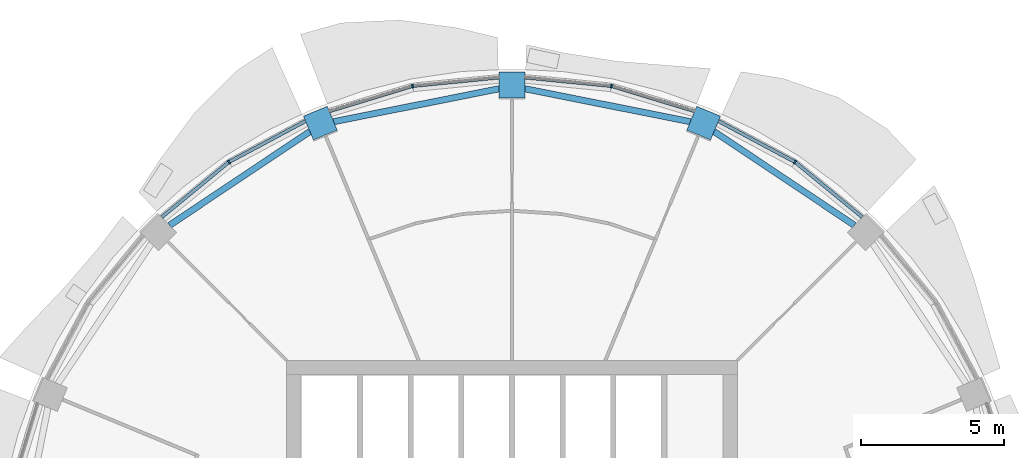
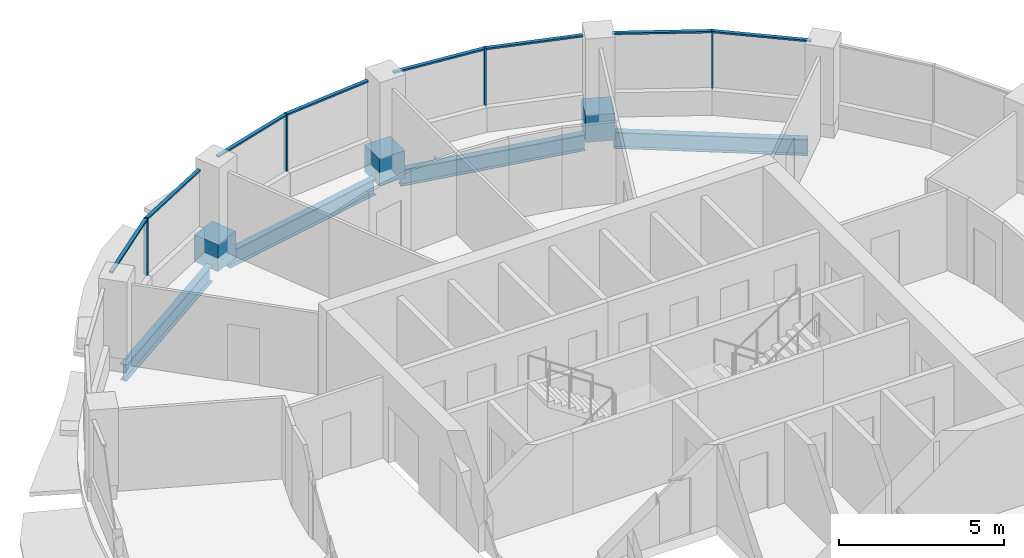
# One storey, part 6 of 15: 15 members, 4 beams, 4 elements without a shape of their own.
"""IFC4 building model written with IfcOpenShell, lengths in metres."""

from ifc_helpers import new_model, si_unit, direction, frame, origin, origin_2d, place, context, subcontext, project, spatial, rectangle, i_section, extrude, material, material_profile, profile_set, type_object, element, aggregate, save


model = new_model("IFC4")

# Units and contexts
model_context = context("Model", 3, precision=1e-05, world=origin(), true_north=direction((0.0, 1.0)))
body_context = subcontext(model_context, "Body", "Model", "MODEL_VIEW")
ifc_project = project(units=[si_unit("LENGTHUNIT", "METRE"), si_unit("AREAUNIT", "SQUARE_METRE"), si_unit("VOLUMEUNIT", "CUBIC_METRE"), si_unit("PLANEANGLEUNIT", "RADIAN"), si_unit("MASSUNIT", "GRAM", prefix="KILO")], contexts=[model_context])

# Site, building, storey
site_placement = place(None, origin())
site = spatial("IfcSite", under=ifc_project, at=site_placement, CompositionType="ELEMENT")
building_placement = place(site_placement, origin())
building = spatial("IfcBuilding", under=site, at=building_placement, Name="Polderwave Tower", CompositionType="ELEMENT")
storey_placement = place(building_placement, frame((0.0, 0.0, 187.64990234375)))
storey = spatial("IfcBuildingStorey", under=building, at=storey_placement, Name="L50", CompositionType="ELEMENT", Elevation=187.64990234375)

# Curtain wall, member
ifc_material_1 = material(Name="Aluminium 6063-T6 and glass", Category="aluminium")
curtain_wall_type = type_object("IfcCurtainWallType", Name="Office ribbon glazing wall", PredefinedType="NOTDEFINED", material=ifc_material_1)
curtain_wall_1_placement = place(storey_placement, origin())
curtain_wall_1 = element("IfcCurtainWall", 1, at=curtain_wall_1_placement, inside=storey, type_object=curtain_wall_type, Name="CW3 L50 02", PredefinedType="NOTDEFINED")
ifc_material_2 = material(Name="Aluminium 6063-T6", Category="aluminium")
ifc_material_profile_1 = material_profile(ifc_material_2, rectangle(XDim=0.139892578125, YDim=0.054931640625, at=origin_2d()), Name="AL 55x140")
ifc_profile_set_1 = profile_set([ifc_material_profile_1], Name="Aluminium 6063-T6")
member_type_1 = type_object("IfcMemberType", Name="Office ribbon glazing mullion 55x140", PredefinedType="MULLION", material=ifc_profile_set_1)
member_1_placement = place(storey_placement, frame((9.888916015625, 14.800048828125, 0.900146484375), z_axis=(0.0, 0.0, 1.0), x_axis=(-0.55564569252, -0.831419186923, 0.0)))
member_1 = element("IfcMember", 2, at=member_1_placement, type_object=member_type_1, Name="CW3 mullion 1", PredefinedType="MULLION", context=body_context, shape_type="SweptSolid", body=[
    extrude(rectangle(XDim=0.139892578125, YDim=0.054931640625, at=origin_2d()), origin(), (0.0, 0.0, 1.0), 2.099853515625),
])

curtain_wall_2_placement = place(storey_placement, origin())
curtain_wall_2 = element("IfcCurtainWall", 3, at=curtain_wall_2_placement, inside=storey, type_object=curtain_wall_type, Name="CW3 L50 03", PredefinedType="NOTDEFINED")
member_2_placement = place(storey_placement, frame((3.472900390625, 17.4580078125, 0.900146484375), z_axis=(0.0, 0.0, 1.0), x_axis=(-0.195205010829, -0.980762460409, 0.0)))
member_2 = element("IfcMember", 4, at=member_2_placement, type_object=member_type_1, Name="CW3 mullion 1", PredefinedType="MULLION", context=body_context, shape_type="SweptSolid", body=[
    extrude(rectangle(XDim=0.139892578125, YDim=0.054931640625, at=origin_2d()), origin(), (0.0, 0.0, 1.0), 2.099853515625),
])

curtain_wall_3_placement = place(storey_placement, origin())
curtain_wall_3 = element("IfcCurtainWall", 5, at=curtain_wall_3_placement, inside=storey, type_object=curtain_wall_type, Name="CW3 L50 04", PredefinedType="NOTDEFINED")
member_3_placement = place(storey_placement, frame((-3.472900390625, 17.4580078125, 0.900146484375), z_axis=(0.0, 0.0, 1.0), x_axis=(0.195205010829, -0.980762460409, 0.0)))
member_3 = element("IfcMember", 6, at=member_3_placement, type_object=member_type_1, Name="CW3 mullion 1", PredefinedType="MULLION", context=body_context, shape_type="SweptSolid", body=[
    extrude(rectangle(XDim=0.139892578125, YDim=0.054931640625, at=origin_2d()), origin(), (0.0, 0.0, 1.0), 2.099853515625),
])

curtain_wall_4_placement = place(storey_placement, origin())
curtain_wall_4 = element("IfcCurtainWall", 7, at=curtain_wall_4_placement, inside=storey, type_object=curtain_wall_type, Name="CW3 L50 05", PredefinedType="NOTDEFINED")
member_4_placement = place(storey_placement, frame((-9.888916015625, 14.800048828125, 0.900146484375), z_axis=(0.0, 0.0, 1.0), x_axis=(0.55564569252, -0.831419186923, 0.0)))
member_4 = element("IfcMember", 8, at=member_4_placement, type_object=member_type_1, Name="CW3 mullion 1", PredefinedType="MULLION", context=body_context, shape_type="SweptSolid", body=[
    extrude(rectangle(XDim=0.139892578125, YDim=0.054931640625, at=origin_2d()), origin(), (0.0, 0.0, 1.0), 2.099853515625),
])

# Member
ifc_material_profile_2 = material_profile(ifc_material_2, rectangle(XDim=0.1201171875, YDim=0.06005859375, at=origin_2d()), Name="AL 60x120")
ifc_profile_set_2 = profile_set([ifc_material_profile_2], Name="Aluminium 6063-T6")
member_type_2 = type_object("IfcMemberType", Name="Office ribbon glazing transom 60x120", PredefinedType="USERDEFINED", material=ifc_profile_set_2)
member_5_placement = place(storey_placement, frame((12.237060546875, 12.873046875, 2.97021484375), z_axis=(-0.772973416151, 0.634438411451, 0.0), x_axis=(-0.634438411451, -0.772973416151, 0.0)))
member_5 = element("IfcMember", 9, at=member_5_placement, type_object=member_type_2, Name="CW3 transom 1", ObjectType="TRANSOM", PredefinedType="USERDEFINED", context=body_context, shape_type="SweptSolid", body=[
    extrude(rectangle(XDim=0.1201171875, YDim=0.06005859375, at=origin_2d()), origin(), (0.0, 0.0, 1.0), 3.010009765625),
])

member_6_placement = place(storey_placement, frame((9.86474609375, 14.81298828125, 2.97021484375), z_axis=(-0.881858389834, 0.471514347904, 0.0), x_axis=(-0.471514347904, -0.881858389834, 0.0)))
member_6 = element("IfcMember", 10, at=member_6_placement, type_object=member_type_2, Name="CW3 transom 2", ObjectType="TRANSOM", PredefinedType="USERDEFINED", context=body_context, shape_type="SweptSolid", body=[
    extrude(rectangle(XDim=0.1201171875, YDim=0.06005859375, at=origin_2d()), origin(), (0.0, 0.0, 1.0), 3.00927734375),
])

aggregate(curtain_wall_1, [member_1, member_5, member_6])

member_7_placement = place(storey_placement, frame((6.37890625, 16.575927734375, 2.97021484375), z_axis=(-0.956894669137, 0.290435177237, 0.0), x_axis=(-0.290435177237, -0.956894669137, 0.0)))
member_7 = element("IfcMember", 11, at=member_7_placement, type_object=member_type_2, Name="CW3 transom 1", ObjectType="TRANSOM", PredefinedType="USERDEFINED", context=body_context, shape_type="SweptSolid", body=[
    extrude(rectangle(XDim=0.1201171875, YDim=0.06005859375, at=origin_2d()), origin(), (0.0, 0.0, 1.0), 3.00927734375),
])

member_8_placement = place(storey_placement, frame((3.445556640625, 17.460693359375, 2.97021484375), z_axis=(-0.995172769084, 0.098138471931, 0.0), x_axis=(-0.098138471931, -0.995172769084, 0.0)))
member_8 = element("IfcMember", 12, at=member_8_placement, type_object=member_type_2, Name="CW3 transom 2", ObjectType="TRANSOM", PredefinedType="USERDEFINED", context=body_context, shape_type="SweptSolid", body=[
    extrude(rectangle(XDim=0.1201171875, YDim=0.06005859375, at=origin_2d()), origin(), (0.0, 0.0, 1.0), 3.01025390625),
])

aggregate(curtain_wall_2, [member_2, member_7, member_8])

member_9_placement = place(storey_placement, frame((-0.449951171875, 17.756103515625, 2.97021484375), z_axis=(-0.995172769084, -0.098138471931, 0.0), x_axis=(0.098138471931, -0.995172769084, 0.0)))
member_9 = element("IfcMember", 13, at=member_9_placement, type_object=member_type_2, Name="CW3 transom 1", ObjectType="TRANSOM", PredefinedType="USERDEFINED", context=body_context, shape_type="SweptSolid", body=[
    extrude(rectangle(XDim=0.1201171875, YDim=0.06005859375, at=origin_2d()), origin(), (0.0, 0.0, 1.0), 3.01025390625),
])

member_10_placement = place(storey_placement, frame((-3.499267578125, 17.449951171875, 2.97021484375), z_axis=(-0.956894669137, -0.290435177237, 0.0), x_axis=(0.290435177237, -0.956894669137, 0.0)))
member_10 = element("IfcMember", 14, at=member_10_placement, type_object=member_type_2, Name="CW3 transom 2", ObjectType="TRANSOM", PredefinedType="USERDEFINED", context=body_context, shape_type="SweptSolid", body=[
    extrude(rectangle(XDim=0.1201171875, YDim=0.06005859375, at=origin_2d()), origin(), (0.0, 0.0, 1.0), 3.00927734375),
])

aggregate(curtain_wall_3, [member_3, member_9, member_10])

member_11_placement = place(storey_placement, frame((-7.2109375, 16.23193359375, 2.97021484375), z_axis=(-0.881858389834, -0.471514347904, 0.0), x_axis=(0.471514347904, -0.881858389834, 0.0)))
member_11 = element("IfcMember", 15, at=member_11_placement, type_object=member_type_2, Name="CW3 transom 1", ObjectType="TRANSOM", PredefinedType="USERDEFINED", context=body_context, shape_type="SweptSolid", body=[
    extrude(rectangle(XDim=0.1201171875, YDim=0.06005859375, at=origin_2d()), origin(), (0.0, 0.0, 1.0), 3.00927734375),
])

member_12_placement = place(storey_placement, frame((-9.910400390625, 14.78271484375, 2.97021484375), z_axis=(-0.772973416151, -0.634438411451, 0.0), x_axis=(0.634438411451, -0.772973416151, 0.0)))
member_12 = element("IfcMember", 16, at=member_12_placement, type_object=member_type_2, Name="CW3 transom 2", ObjectType="TRANSOM", PredefinedType="USERDEFINED", context=body_context, shape_type="SweptSolid", body=[
    extrude(rectangle(XDim=0.1201171875, YDim=0.06005859375, at=origin_2d()), origin(), (0.0, 0.0, 1.0), 3.010009765625),
])

aggregate(curtain_wall_4, [member_4, member_11, member_12])

# Members
ifc_material_3 = material(Name="Concrete C60/75", Category="concrete")
ifc_material_profile_3 = material_profile(ifc_material_3, rectangle(XDim=0.89990234375, YDim=0.89990234375, at=origin_2d()), Name="RC 900x900")
ifc_profile_set_3 = profile_set([ifc_material_profile_3], Name="Concrete C60/75")
member_type_3 = type_object("IfcMemberType", Name="RC NODE 900x900 C60/75", PredefinedType="POST", material=ifc_profile_set_3)
for number, where, z_axis, x_axis, name in (
    (17, (6.694091796875, 16.160888671875, -0.5), (0.0, 0.0, 1.0), (0.382683432365, 0.923879532511, 0.0), "Ring column node 04"),
    (18, (0.0, 17.492431640625, -0.5), (0.0, 0.0, 1.0), (0.0, 1.0, 0.0), "Ring column node 05"),
    (19, (-6.694091796875, 16.160888671875, -0.5), (0.0, 0.0, 1.0), (-0.382683432365, 0.923879532511, 0.0), "Ring column node 06"),
):
    element("IfcMember", number, at=place(storey_placement, frame(where, z_axis=z_axis, x_axis=x_axis)), inside=storey, type_object=member_type_3, Name=name, PredefinedType="POST", context=body_context, shape_type="SweptSolid", body=[
        extrude(rectangle(XDim=0.89990234375, YDim=0.89990234375, at=origin_2d()), origin(), (0.0, 0.0, 1.0), 1.0),
    ])

# Beams
ifc_material_4 = material(Name="Steel S355", Category="steel")
ifc_material_profile_4 = material_profile(ifc_material_4, i_section(OverallWidth=0.219970703125, OverallDepth=0.60009765625, WebThickness=0.011962890625, FlangeThickness=0.01904296875, at=origin_2d()), Name="IPE 600")
ifc_profile_set_4 = profile_set([ifc_material_profile_4], Name="Steel S355")
beam_type = type_object("IfcBeamType", Name="RING BEAM IPE 600", PredefinedType="BEAM", material=ifc_profile_set_4)
beam_1_placement = place(storey_placement, frame((11.95751953125, 12.593994140625, -0.64990234375), z_axis=(-0.831482400805, 0.555551093196, 0.0), x_axis=(-0.555551093196, -0.831482400805, 0.0)))
element("IfcBeam", 20, at=beam_1_placement, inside=storey, type_object=beam_type, Name="ST-RB-L50-02", PredefinedType="BEAM", context=body_context, shape_type="SweptSolid", body=[
    extrude(i_section(OverallWidth=0.219970703125, OverallDepth=0.60009765625, WebThickness=0.011962890625, FlangeThickness=0.01904296875, at=origin_2d()), origin(), (0.0, 0.0, 1.0), 5.890869140625),
])
for number, where, z_axis, x_axis, name in (
    (21, (6.227783203125, 16.211181640625, -0.64990234375), (-0.980780998813, 0.195111845788, 0.0), (-0.195111845788, -0.980780998813, 0.0), "ST-RB-L50-03"),
    (22, (-0.449951171875, 17.360595703125, -0.64990234375), (-0.980780998813, -0.195111845788, 0.0), (0.195111845788, -0.980780998813, 0.0), "ST-RB-L50-04"),
):
    element("IfcBeam", number, at=place(storey_placement, frame(where, z_axis=z_axis, x_axis=x_axis)), inside=storey, type_object=beam_type, Name=name, PredefinedType="BEAM", context=body_context, shape_type="SweptSolid", body=[
        extrude(i_section(OverallWidth=0.219970703125, OverallDepth=0.60009765625, WebThickness=0.011962890625, FlangeThickness=0.01904296875, at=origin_2d()), origin(), (0.0, 0.0, 1.0), 5.89111328125),
    ])
beam_2_placement = place(storey_placement, frame((-7.059326171875, 15.86669921875, -0.64990234375), z_axis=(-0.831482400805, -0.555551093196, 0.0), x_axis=(0.555551093196, -0.831482400805, 0.0)))
element("IfcBeam", 23, at=beam_2_placement, inside=storey, type_object=beam_type, Name="ST-RB-L50-05", PredefinedType="BEAM", context=body_context, shape_type="SweptSolid", body=[
    extrude(i_section(OverallWidth=0.219970703125, OverallDepth=0.60009765625, WebThickness=0.011962890625, FlangeThickness=0.01904296875, at=origin_2d()), origin(), (0.0, 0.0, 1.0), 5.890869140625),
])

save(model, "model.ifc")
